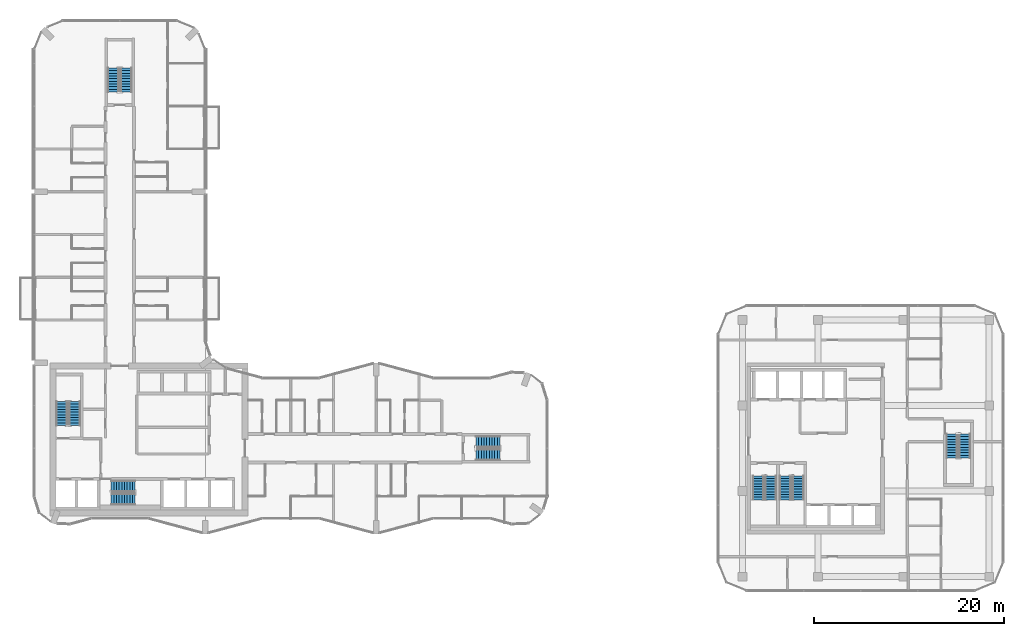
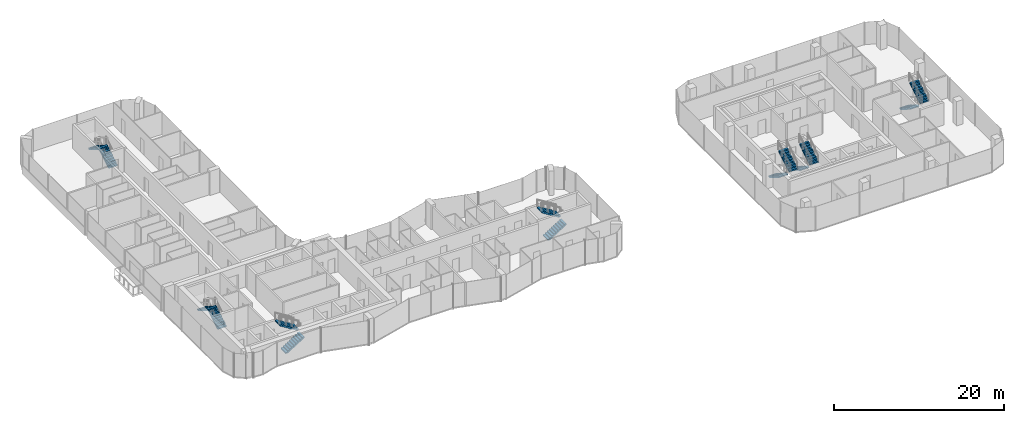
# One storey, part 19 of 22: 14 stair flights, 7 elements without a shape of their own.
"""IFC4 building model written with IfcOpenShell, lengths in metres."""

from ifc_helpers import new_model, si_unit, direction, frame, origin, place, context, subcontext, project, spatial, polyline, outline, extrude, material, type_object, element, aggregate, save


model = new_model("IFC4")

# Units and contexts
model_context = context("Model", 3, precision=1e-05, world=origin(), true_north=direction((0.0, 1.0)))
body_context = subcontext(model_context, "Body", "Model", "MODEL_VIEW")
ifc_project = project(units=[si_unit("LENGTHUNIT", "METRE"), si_unit("AREAUNIT", "SQUARE_METRE"), si_unit("VOLUMEUNIT", "CUBIC_METRE"), si_unit("PLANEANGLEUNIT", "RADIAN"), si_unit("MASSUNIT", "GRAM", prefix="KILO")], contexts=[model_context])

# Site, building, storey
site_placement = place(None, origin())
site = spatial("IfcSite", under=ifc_project, at=site_placement, CompositionType="ELEMENT")
building_placement = place(site_placement, origin())
building = spatial("IfcBuilding", under=site, at=building_placement, Name="Plateau Cross Towers", CompositionType="ELEMENT")
storey_placement = place(building_placement, frame((0.0, 0.0, 99.300048828125)))
storey = spatial("IfcBuildingStorey", under=building, at=storey_placement, Name="L25", CompositionType="ELEMENT", Elevation=99.300048828125)

# Stair, stair flights
ifc_material = material(Name="Concrete C40/50", Category="concrete")
stair_type = type_object("IfcStairType", Name="ST-TWR", PredefinedType="HALF_TURN_STAIR", material=ifc_material)
stair_1_placement = place(storey_placement, origin())
stair_1 = element("IfcStair", 1, at=stair_1_placement, inside=storey, type_object=stair_type, Name="L25 Protected Exit Stair ST-1", PredefinedType="HALF_TURN_STAIR")
stair_flight_type = type_object("IfcStairFlightType", Name="SFL-RC", PredefinedType="STRAIGHT", material=ifc_material)
stair_flight_1_placement = place(storey_placement, frame((4.25, 11.39990234375, 0.0), z_axis=(0.0, 0.0, 1.0), x_axis=(0.0, 1.0, 0.0)))
stair_flight_1 = element("IfcStairFlight", 2, at=stair_flight_1_placement, type_object=stair_flight_type, Name="ST-1 flight 1", NumberOfRisers=10, NumberOfTreads=9, PredefinedType="STRAIGHT", RiserHeight=0.175, TreadLength=0.28, context=body_context, shape_type="SweptSolid", body=[
    extrude(outline(polyline([(-0.0048828125, -0.010009765625), (-0.0048828125, 0.0), (0.0, 0.0), (0.0, 0.175048828125), (0.280029296875, 0.175048828125), (0.280029296875, 0.35009765625), (0.56005859375, 0.35009765625), (0.56005859375, 0.52490234375), (0.840087890625, 0.52490234375), (0.840087890625, 0.699951171875), (1.1201171875, 0.699951171875), (1.1201171875, 0.875), (1.39990234375, 0.875), (1.39990234375, 1.050048828125), (1.679931640625, 1.050048828125), (1.679931640625, 1.22509765625), (1.9599609375, 1.22509765625), (1.9599609375, 1.39990234375), (2.239990234375, 1.39990234375), (2.239990234375, 1.574951171875), (2.52001953125, 1.574951171875), (2.52490234375, 1.56494140625), (2.52490234375, 1.398193359375), (2.52001953125, 1.398193359375), (0.28271484375, 0.0), (0.02001953125, 0.0), (0.02001953125, -0.010009765625), (-0.0048828125, -0.010009765625)])), frame((0.0, 0.60009765625, 0.0), z_axis=(0.0, -1.0, 0.0), x_axis=(1.0, 0.0, 0.0)), (0.0, 0.0, 1.0), 1.199951171875),
])
stair_flight_2_placement = place(storey_placement, frame((2.89990234375, 13.919921875, 1.75), z_axis=(0.0, 0.0, 1.0), x_axis=(0.0, -1.0, 0.0)))
stair_flight_2 = element("IfcStairFlight", 3, at=stair_flight_2_placement, type_object=stair_flight_type, Name="ST-1 flight 2", NumberOfRisers=10, NumberOfTreads=9, PredefinedType="STRAIGHT", RiserHeight=0.175, TreadLength=0.28, context=body_context, shape_type="SweptSolid", body=[
    extrude(outline(polyline([(-0.0048828125, -0.010009765625), (-0.0048828125, 0.0), (0.0, 0.0), (0.0, 0.175048828125), (0.280029296875, 0.175048828125), (0.280029296875, 0.35009765625), (0.56005859375, 0.35009765625), (0.56005859375, 0.52490234375), (0.840087890625, 0.52490234375), (0.840087890625, 0.699951171875), (1.1201171875, 0.699951171875), (1.1201171875, 0.875), (1.39990234375, 0.875), (1.39990234375, 1.050048828125), (1.679931640625, 1.050048828125), (1.679931640625, 1.22509765625), (1.9599609375, 1.22509765625), (1.9599609375, 1.39990234375), (2.239990234375, 1.39990234375), (2.239990234375, 1.574951171875), (2.52001953125, 1.574951171875), (2.52490234375, 1.56494140625), (2.52490234375, 1.398193359375), (2.52001953125, 1.398193359375), (0.28271484375, 0.0), (0.02001953125, 0.0), (0.02001953125, -0.010009765625), (-0.0048828125, -0.010009765625)])), frame((0.0, 0.60009765625, 0.0), z_axis=(0.0, -1.0, 0.0), x_axis=(1.0, 0.0, 0.0)), (0.0, 0.0, 1.0), 1.199951171875),
])
aggregate(stair_1, [stair_flight_1, stair_flight_2])

stair_2_placement = place(storey_placement, origin())
stair_2 = element("IfcStair", 4, at=stair_2_placement, inside=storey, type_object=stair_type, Name="L25 Protected Exit Stair ST-2", PredefinedType="HALF_TURN_STAIR")
stair_flight_3_placement = place(storey_placement, frame((8.10009765625, 3.64990234375, 0.0), z_axis=(0.0, 0.0, 1.0), x_axis=(1.0, 0.0, 0.0)))
stair_flight_3 = element("IfcStairFlight", 5, at=stair_flight_3_placement, type_object=stair_flight_type, Name="ST-2 flight 1", NumberOfRisers=10, NumberOfTreads=9, PredefinedType="STRAIGHT", RiserHeight=0.175, TreadLength=0.28, context=body_context, shape_type="SweptSolid", body=[
    extrude(outline(polyline([(-0.0048828125, -0.010009765625), (-0.0048828125, 0.0), (0.0, 0.0), (0.0, 0.175048828125), (0.280029296875, 0.175048828125), (0.280029296875, 0.35009765625), (0.56005859375, 0.35009765625), (0.56005859375, 0.52490234375), (0.840087890625, 0.52490234375), (0.840087890625, 0.699951171875), (1.1201171875, 0.699951171875), (1.1201171875, 0.875), (1.39990234375, 0.875), (1.39990234375, 1.050048828125), (1.679931640625, 1.050048828125), (1.679931640625, 1.22509765625), (1.9599609375, 1.22509765625), (1.9599609375, 1.39990234375), (2.239990234375, 1.39990234375), (2.239990234375, 1.574951171875), (2.52001953125, 1.574951171875), (2.52490234375, 1.56494140625), (2.52490234375, 1.398193359375), (2.52001953125, 1.398193359375), (0.28271484375, 0.0), (0.02001953125, 0.0), (0.02001953125, -0.010009765625), (-0.0048828125, -0.010009765625)])), frame((0.0, 0.60009765625, 0.0), z_axis=(0.0, -1.0, 0.0), x_axis=(1.0, 0.0, 0.0)), (0.0, 0.0, 1.0), 1.199951171875),
])
stair_flight_4_placement = place(storey_placement, frame((10.6201171875, 5.0, 1.75), z_axis=(0.0, 0.0, 1.0), x_axis=(-1.0, 0.0, 0.0)))
stair_flight_4 = element("IfcStairFlight", 6, at=stair_flight_4_placement, type_object=stair_flight_type, Name="ST-2 flight 2", NumberOfRisers=10, NumberOfTreads=9, PredefinedType="STRAIGHT", RiserHeight=0.175, TreadLength=0.28, context=body_context, shape_type="SweptSolid", body=[
    extrude(outline(polyline([(-0.0048828125, -0.010009765625), (-0.0048828125, 0.0), (0.0, 0.0), (0.0, 0.175048828125), (0.280029296875, 0.175048828125), (0.280029296875, 0.35009765625), (0.56005859375, 0.35009765625), (0.56005859375, 0.52490234375), (0.840087890625, 0.52490234375), (0.840087890625, 0.699951171875), (1.1201171875, 0.699951171875), (1.1201171875, 0.875), (1.39990234375, 0.875), (1.39990234375, 1.050048828125), (1.679931640625, 1.050048828125), (1.679931640625, 1.22509765625), (1.9599609375, 1.22509765625), (1.9599609375, 1.39990234375), (2.239990234375, 1.39990234375), (2.239990234375, 1.574951171875), (2.52001953125, 1.574951171875), (2.52490234375, 1.56494140625), (2.52490234375, 1.398193359375), (2.52001953125, 1.398193359375), (0.28271484375, 0.0), (0.02001953125, 0.0), (0.02001953125, -0.010009765625), (-0.0048828125, -0.010009765625)])), frame((0.0, 0.60009765625, 0.0), z_axis=(0.0, -1.0, 0.0), x_axis=(1.0, 0.0, 0.0)), (0.0, 0.0, 1.0), 1.199951171875),
])
aggregate(stair_2, [stair_flight_3, stair_flight_4])

stair_3_placement = place(storey_placement, origin())
stair_3 = element("IfcStair", 7, at=stair_3_placement, inside=storey, type_object=stair_type, Name="L25 Protected Exit Stair SB-1", PredefinedType="HALF_TURN_STAIR")
stair_flight_5_placement = place(storey_placement, frame((76.199951171875, 6.10009765625, 0.0), z_axis=(0.0, 0.0, 1.0), x_axis=(0.0, -1.0, 0.0)))
stair_flight_5 = element("IfcStairFlight", 8, at=stair_flight_5_placement, type_object=stair_flight_type, Name="SB-1 flight 1", NumberOfRisers=10, NumberOfTreads=9, PredefinedType="STRAIGHT", RiserHeight=0.175, TreadLength=0.28, context=body_context, shape_type="SweptSolid", body=[
    extrude(outline(polyline([(-0.0048828125, -0.010009765625), (-0.0048828125, 0.0), (0.0, 0.0), (0.0, 0.175048828125), (0.280029296875, 0.175048828125), (0.280029296875, 0.35009765625), (0.56005859375, 0.35009765625), (0.56005859375, 0.52490234375), (0.840087890625, 0.52490234375), (0.840087890625, 0.699951171875), (1.1201171875, 0.699951171875), (1.1201171875, 0.875), (1.39990234375, 0.875), (1.39990234375, 1.050048828125), (1.679931640625, 1.050048828125), (1.679931640625, 1.22509765625), (1.9599609375, 1.22509765625), (1.9599609375, 1.39990234375), (2.239990234375, 1.39990234375), (2.239990234375, 1.574951171875), (2.52001953125, 1.574951171875), (2.52490234375, 1.56494140625), (2.52490234375, 1.398193359375), (2.52001953125, 1.398193359375), (0.28271484375, 0.0), (0.02001953125, 0.0), (0.02001953125, -0.010009765625), (-0.0048828125, -0.010009765625)])), frame((0.0, 0.60009765625, 0.0), z_axis=(0.0, -1.0, 0.0), x_axis=(1.0, 0.0, 0.0)), (0.0, 0.0, 1.0), 1.199951171875),
])
stair_flight_6_placement = place(storey_placement, frame((77.550048828125, 3.580078125, 1.75), z_axis=(0.0, 0.0, 1.0), x_axis=(0.0, 1.0, 0.0)))
stair_flight_6 = element("IfcStairFlight", 9, at=stair_flight_6_placement, type_object=stair_flight_type, Name="SB-1 flight 2", NumberOfRisers=10, NumberOfTreads=9, PredefinedType="STRAIGHT", RiserHeight=0.175, TreadLength=0.28, context=body_context, shape_type="SweptSolid", body=[
    extrude(outline(polyline([(-0.0048828125, -0.010009765625), (-0.0048828125, 0.0), (0.0, 0.0), (0.0, 0.175048828125), (0.280029296875, 0.175048828125), (0.280029296875, 0.35009765625), (0.56005859375, 0.35009765625), (0.56005859375, 0.52490234375), (0.840087890625, 0.52490234375), (0.840087890625, 0.699951171875), (1.1201171875, 0.699951171875), (1.1201171875, 0.875), (1.39990234375, 0.875), (1.39990234375, 1.050048828125), (1.679931640625, 1.050048828125), (1.679931640625, 1.22509765625), (1.9599609375, 1.22509765625), (1.9599609375, 1.39990234375), (2.239990234375, 1.39990234375), (2.239990234375, 1.574951171875), (2.52001953125, 1.574951171875), (2.52490234375, 1.56494140625), (2.52490234375, 1.398193359375), (2.52001953125, 1.398193359375), (0.28271484375, 0.0), (0.02001953125, 0.0), (0.02001953125, -0.010009765625), (-0.0048828125, -0.010009765625)])), frame((0.0, 0.60009765625, 0.0), z_axis=(0.0, -1.0, 0.0), x_axis=(1.0, 0.0, 0.0)), (0.0, 0.0, 1.0), 1.199951171875),
])
aggregate(stair_3, [stair_flight_5, stair_flight_6])

stair_4_placement = place(storey_placement, origin())
stair_4 = element("IfcStair", 10, at=stair_4_placement, inside=storey, type_object=stair_type, Name="L25 Protected Exit Stair SB-2", PredefinedType="HALF_TURN_STAIR")
stair_flight_7_placement = place(storey_placement, frame((79.050048828125, 6.10009765625, 0.0), z_axis=(0.0, 0.0, 1.0), x_axis=(0.0, -1.0, 0.0)))
stair_flight_7 = element("IfcStairFlight", 11, at=stair_flight_7_placement, type_object=stair_flight_type, Name="SB-2 flight 1", NumberOfRisers=10, NumberOfTreads=9, PredefinedType="STRAIGHT", RiserHeight=0.175, TreadLength=0.28, context=body_context, shape_type="SweptSolid", body=[
    extrude(outline(polyline([(-0.0048828125, -0.010009765625), (-0.0048828125, 0.0), (0.0, 0.0), (0.0, 0.175048828125), (0.280029296875, 0.175048828125), (0.280029296875, 0.35009765625), (0.56005859375, 0.35009765625), (0.56005859375, 0.52490234375), (0.840087890625, 0.52490234375), (0.840087890625, 0.699951171875), (1.1201171875, 0.699951171875), (1.1201171875, 0.875), (1.39990234375, 0.875), (1.39990234375, 1.050048828125), (1.679931640625, 1.050048828125), (1.679931640625, 1.22509765625), (1.9599609375, 1.22509765625), (1.9599609375, 1.39990234375), (2.239990234375, 1.39990234375), (2.239990234375, 1.574951171875), (2.52001953125, 1.574951171875), (2.52490234375, 1.56494140625), (2.52490234375, 1.398193359375), (2.52001953125, 1.398193359375), (0.28271484375, 0.0), (0.02001953125, 0.0), (0.02001953125, -0.010009765625), (-0.0048828125, -0.010009765625)])), frame((0.0, 0.60009765625, 0.0), z_axis=(0.0, -1.0, 0.0), x_axis=(1.0, 0.0, 0.0)), (0.0, 0.0, 1.0), 1.199951171875),
])
stair_flight_8_placement = place(storey_placement, frame((80.39990234375, 3.580078125, 1.75), z_axis=(0.0, 0.0, 1.0), x_axis=(0.0, 1.0, 0.0)))
stair_flight_8 = element("IfcStairFlight", 12, at=stair_flight_8_placement, type_object=stair_flight_type, Name="SB-2 flight 2", NumberOfRisers=10, NumberOfTreads=9, PredefinedType="STRAIGHT", RiserHeight=0.175, TreadLength=0.28, context=body_context, shape_type="SweptSolid", body=[
    extrude(outline(polyline([(-0.0048828125, -0.010009765625), (-0.0048828125, 0.0), (0.0, 0.0), (0.0, 0.175048828125), (0.280029296875, 0.175048828125), (0.280029296875, 0.35009765625), (0.56005859375, 0.35009765625), (0.56005859375, 0.52490234375), (0.840087890625, 0.52490234375), (0.840087890625, 0.699951171875), (1.1201171875, 0.699951171875), (1.1201171875, 0.875), (1.39990234375, 0.875), (1.39990234375, 1.050048828125), (1.679931640625, 1.050048828125), (1.679931640625, 1.22509765625), (1.9599609375, 1.22509765625), (1.9599609375, 1.39990234375), (2.239990234375, 1.39990234375), (2.239990234375, 1.574951171875), (2.52001953125, 1.574951171875), (2.52490234375, 1.56494140625), (2.52490234375, 1.398193359375), (2.52001953125, 1.398193359375), (0.28271484375, 0.0), (0.02001953125, 0.0), (0.02001953125, -0.010009765625), (-0.0048828125, -0.010009765625)])), frame((0.0, 0.60009765625, 0.0), z_axis=(0.0, -1.0, 0.0), x_axis=(1.0, 0.0, 0.0)), (0.0, 0.0, 1.0), 1.199951171875),
])
aggregate(stair_4, [stair_flight_7, stair_flight_8])

stair_5_placement = place(storey_placement, origin())
stair_5 = element("IfcStair", 13, at=stair_5_placement, inside=storey, type_object=stair_type, Name="L25 Protected Exit Stair SB-3", PredefinedType="HALF_TURN_STAIR")
stair_flight_9_placement = place(storey_placement, frame((96.60009765625, 10.5, 0.0), z_axis=(0.0, 0.0, 1.0), x_axis=(0.0, -1.0, 0.0)))
stair_flight_9 = element("IfcStairFlight", 14, at=stair_flight_9_placement, type_object=stair_flight_type, Name="SB-3 flight 1", NumberOfRisers=10, NumberOfTreads=9, PredefinedType="STRAIGHT", RiserHeight=0.175, TreadLength=0.28, context=body_context, shape_type="SweptSolid", body=[
    extrude(outline(polyline([(-0.0048828125, -0.010009765625), (-0.0048828125, 0.0), (0.0, 0.0), (0.0, 0.175048828125), (0.280029296875, 0.175048828125), (0.280029296875, 0.35009765625), (0.56005859375, 0.35009765625), (0.56005859375, 0.52490234375), (0.840087890625, 0.52490234375), (0.840087890625, 0.699951171875), (1.1201171875, 0.699951171875), (1.1201171875, 0.875), (1.39990234375, 0.875), (1.39990234375, 1.050048828125), (1.679931640625, 1.050048828125), (1.679931640625, 1.22509765625), (1.9599609375, 1.22509765625), (1.9599609375, 1.39990234375), (2.239990234375, 1.39990234375), (2.239990234375, 1.574951171875), (2.52001953125, 1.574951171875), (2.52490234375, 1.56494140625), (2.52490234375, 1.398193359375), (2.52001953125, 1.398193359375), (0.28271484375, 0.0), (0.02001953125, 0.0), (0.02001953125, -0.010009765625), (-0.0048828125, -0.010009765625)])), frame((0.0, 0.60009765625, 0.0), z_axis=(0.0, -1.0, 0.0), x_axis=(1.0, 0.0, 0.0)), (0.0, 0.0, 1.0), 1.199951171875),
])
stair_flight_10_placement = place(storey_placement, frame((97.949951171875, 7.97998046875, 1.75), z_axis=(0.0, 0.0, 1.0), x_axis=(0.0, 1.0, 0.0)))
stair_flight_10 = element("IfcStairFlight", 15, at=stair_flight_10_placement, type_object=stair_flight_type, Name="SB-3 flight 2", NumberOfRisers=10, NumberOfTreads=9, PredefinedType="STRAIGHT", RiserHeight=0.175, TreadLength=0.28, context=body_context, shape_type="SweptSolid", body=[
    extrude(outline(polyline([(-0.0048828125, -0.010009765625), (-0.0048828125, 0.0), (0.0, 0.0), (0.0, 0.175048828125), (0.280029296875, 0.175048828125), (0.280029296875, 0.35009765625), (0.56005859375, 0.35009765625), (0.56005859375, 0.52490234375), (0.840087890625, 0.52490234375), (0.840087890625, 0.699951171875), (1.1201171875, 0.699951171875), (1.1201171875, 0.875), (1.39990234375, 0.875), (1.39990234375, 1.050048828125), (1.679931640625, 1.050048828125), (1.679931640625, 1.22509765625), (1.9599609375, 1.22509765625), (1.9599609375, 1.39990234375), (2.239990234375, 1.39990234375), (2.239990234375, 1.574951171875), (2.52001953125, 1.574951171875), (2.52490234375, 1.56494140625), (2.52490234375, 1.398193359375), (2.52001953125, 1.398193359375), (0.28271484375, 0.0), (0.02001953125, 0.0), (0.02001953125, -0.010009765625), (-0.0048828125, -0.010009765625)])), frame((0.0, 0.60009765625, 0.0), z_axis=(0.0, -1.0, 0.0), x_axis=(1.0, 0.0, 0.0)), (0.0, 0.0, 1.0), 1.199951171875),
])
aggregate(stair_5, [stair_flight_9, stair_flight_10])

stair_6_placement = place(storey_placement, origin())
stair_6 = element("IfcStair", 16, at=stair_6_placement, inside=storey, type_object=stair_type, Name="L25 Protected Exit Stair E", PredefinedType="HALF_TURN_STAIR")
stair_flight_11_placement = place(storey_placement, frame((46.5, 8.324951171875, 0.0), z_axis=(0.0, 0.0, 1.0), x_axis=(1.0, 0.0, 0.0)))
stair_flight_11 = element("IfcStairFlight", 17, at=stair_flight_11_placement, type_object=stair_flight_type, Name="ES-E flight 1", NumberOfRisers=10, NumberOfTreads=9, PredefinedType="STRAIGHT", RiserHeight=0.175, TreadLength=0.28, context=body_context, shape_type="SweptSolid", body=[
    extrude(outline(polyline([(-0.0048828125, -0.010009765625), (-0.0048828125, 0.0), (0.0, 0.0), (0.0, 0.175048828125), (0.280029296875, 0.175048828125), (0.280029296875, 0.35009765625), (0.56005859375, 0.35009765625), (0.56005859375, 0.52490234375), (0.840087890625, 0.52490234375), (0.840087890625, 0.699951171875), (1.1201171875, 0.699951171875), (1.1201171875, 0.875), (1.39990234375, 0.875), (1.39990234375, 1.050048828125), (1.679931640625, 1.050048828125), (1.679931640625, 1.22509765625), (1.9599609375, 1.22509765625), (1.9599609375, 1.39990234375), (2.239990234375, 1.39990234375), (2.239990234375, 1.574951171875), (2.52001953125, 1.574951171875), (2.52490234375, 1.56494140625), (2.52490234375, 1.398193359375), (2.52001953125, 1.398193359375), (0.28271484375, 0.0), (0.02001953125, 0.0), (0.02001953125, -0.010009765625), (-0.0048828125, -0.010009765625)])), frame((0.0, 0.60009765625, 0.0), z_axis=(0.0, -1.0, 0.0), x_axis=(1.0, 0.0, 0.0)), (0.0, 0.0, 1.0), 1.199951171875),
])
stair_flight_12_placement = place(storey_placement, frame((49.02001953125, 9.675048828125, 1.75), z_axis=(0.0, 0.0, 1.0), x_axis=(-1.0, 0.0, 0.0)))
stair_flight_12 = element("IfcStairFlight", 18, at=stair_flight_12_placement, type_object=stair_flight_type, Name="ES-E flight 2", NumberOfRisers=10, NumberOfTreads=9, PredefinedType="STRAIGHT", RiserHeight=0.175, TreadLength=0.28, context=body_context, shape_type="SweptSolid", body=[
    extrude(outline(polyline([(-0.0048828125, -0.010009765625), (-0.0048828125, 0.0), (0.0, 0.0), (0.0, 0.175048828125), (0.280029296875, 0.175048828125), (0.280029296875, 0.35009765625), (0.56005859375, 0.35009765625), (0.56005859375, 0.52490234375), (0.840087890625, 0.52490234375), (0.840087890625, 0.699951171875), (1.1201171875, 0.699951171875), (1.1201171875, 0.875), (1.39990234375, 0.875), (1.39990234375, 1.050048828125), (1.679931640625, 1.050048828125), (1.679931640625, 1.22509765625), (1.9599609375, 1.22509765625), (1.9599609375, 1.39990234375), (2.239990234375, 1.39990234375), (2.239990234375, 1.574951171875), (2.52001953125, 1.574951171875), (2.52490234375, 1.56494140625), (2.52490234375, 1.398193359375), (2.52001953125, 1.398193359375), (0.28271484375, 0.0), (0.02001953125, 0.0), (0.02001953125, -0.010009765625), (-0.0048828125, -0.010009765625)])), frame((0.0, 0.60009765625, 0.0), z_axis=(0.0, -1.0, 0.0), x_axis=(1.0, 0.0, 0.0)), (0.0, 0.0, 1.0), 1.199951171875),
])
aggregate(stair_6, [stair_flight_11, stair_flight_12])

stair_7_placement = place(storey_placement, origin())
stair_7 = element("IfcStair", 19, at=stair_7_placement, inside=storey, type_object=stair_type, Name="L25 Protected Exit Stair N", PredefinedType="HALF_TURN_STAIR")
stair_flight_13_placement = place(storey_placement, frame((9.675048828125, 46.5, 0.0), z_axis=(0.0, 0.0, 1.0), x_axis=(0.0, 1.0, 0.0)))
stair_flight_13 = element("IfcStairFlight", 20, at=stair_flight_13_placement, type_object=stair_flight_type, Name="ES-N flight 1", NumberOfRisers=10, NumberOfTreads=9, PredefinedType="STRAIGHT", RiserHeight=0.175, TreadLength=0.28, context=body_context, shape_type="SweptSolid", body=[
    extrude(outline(polyline([(-0.0048828125, -0.010009765625), (-0.0048828125, 0.0), (0.0, 0.0), (0.0, 0.175048828125), (0.280029296875, 0.175048828125), (0.280029296875, 0.35009765625), (0.56005859375, 0.35009765625), (0.56005859375, 0.52490234375), (0.840087890625, 0.52490234375), (0.840087890625, 0.699951171875), (1.1201171875, 0.699951171875), (1.1201171875, 0.875), (1.39990234375, 0.875), (1.39990234375, 1.050048828125), (1.679931640625, 1.050048828125), (1.679931640625, 1.22509765625), (1.9599609375, 1.22509765625), (1.9599609375, 1.39990234375), (2.239990234375, 1.39990234375), (2.239990234375, 1.574951171875), (2.52001953125, 1.574951171875), (2.52490234375, 1.56494140625), (2.52490234375, 1.398193359375), (2.52001953125, 1.398193359375), (0.28271484375, 0.0), (0.02001953125, 0.0), (0.02001953125, -0.010009765625), (-0.0048828125, -0.010009765625)])), frame((0.0, 0.60009765625, 0.0), z_axis=(0.0, -1.0, 0.0), x_axis=(1.0, 0.0, 0.0)), (0.0, 0.0, 1.0), 1.199951171875),
])
stair_flight_14_placement = place(storey_placement, frame((8.324951171875, 49.02001953125, 1.75), z_axis=(0.0, 0.0, 1.0), x_axis=(0.0, -1.0, 0.0)))
stair_flight_14 = element("IfcStairFlight", 21, at=stair_flight_14_placement, type_object=stair_flight_type, Name="ES-N flight 2", NumberOfRisers=10, NumberOfTreads=9, PredefinedType="STRAIGHT", RiserHeight=0.175, TreadLength=0.28, context=body_context, shape_type="SweptSolid", body=[
    extrude(outline(polyline([(-0.0048828125, -0.010009765625), (-0.0048828125, 0.0), (0.0, 0.0), (0.0, 0.175048828125), (0.280029296875, 0.175048828125), (0.280029296875, 0.35009765625), (0.56005859375, 0.35009765625), (0.56005859375, 0.52490234375), (0.840087890625, 0.52490234375), (0.840087890625, 0.699951171875), (1.1201171875, 0.699951171875), (1.1201171875, 0.875), (1.39990234375, 0.875), (1.39990234375, 1.050048828125), (1.679931640625, 1.050048828125), (1.679931640625, 1.22509765625), (1.9599609375, 1.22509765625), (1.9599609375, 1.39990234375), (2.239990234375, 1.39990234375), (2.239990234375, 1.574951171875), (2.52001953125, 1.574951171875), (2.52490234375, 1.56494140625), (2.52490234375, 1.398193359375), (2.52001953125, 1.398193359375), (0.28271484375, 0.0), (0.02001953125, 0.0), (0.02001953125, -0.010009765625), (-0.0048828125, -0.010009765625)])), frame((0.0, 0.60009765625, 0.0), z_axis=(0.0, -1.0, 0.0), x_axis=(1.0, 0.0, 0.0)), (0.0, 0.0, 1.0), 1.199951171875),
])
aggregate(stair_7, [stair_flight_13, stair_flight_14])

save(model, "model.ifc")
